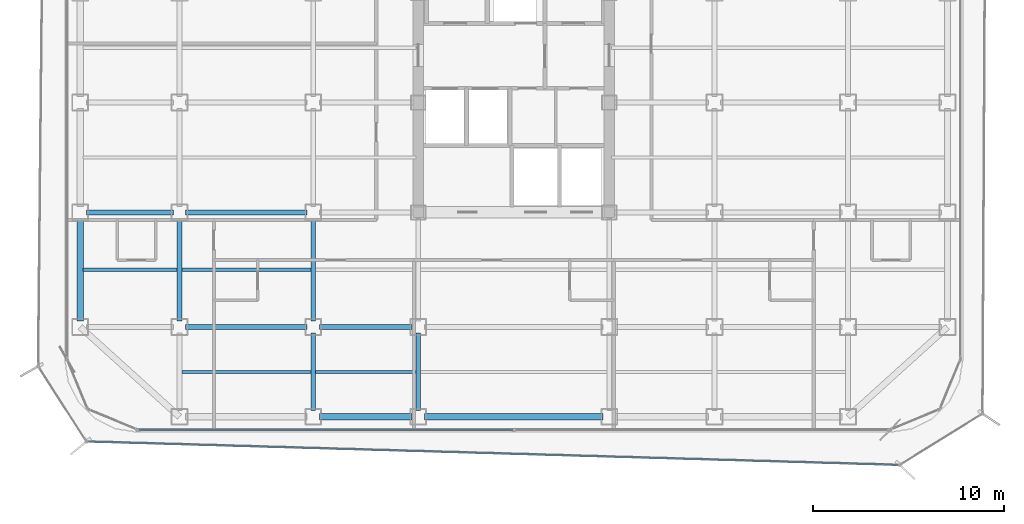
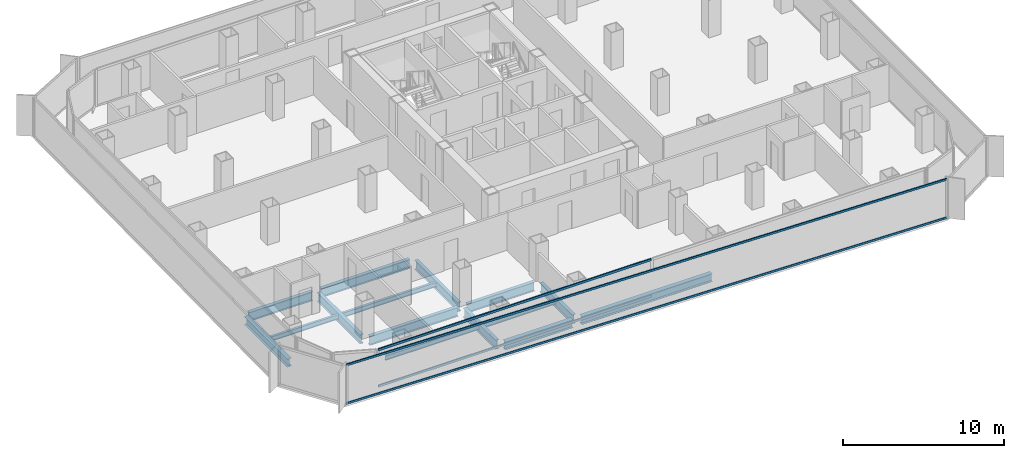
# One storey, part 3 of 21: 15 beams, 4 members, 2 elements without a shape of their own.
"""IFC4 building model written with IfcOpenShell, lengths in metres."""

from ifc_helpers import new_model, si_unit, direction, frame, origin, origin_2d, place, context, subcontext, project, spatial, hollow_rectangle, i_section, extrude, source, transform, mapped, material, layer, layer_set, material_profile, profile_set, type_object, element, aggregate, save


model = new_model("IFC4")

# Units and contexts
model_context = context("Model", 3, precision=1e-05, world=origin(), true_north=direction((0.0, 1.0)))
body_context = subcontext(model_context, "Body", "Model", "MODEL_VIEW")
ifc_project = project(units=[si_unit("LENGTHUNIT", "METRE"), si_unit("AREAUNIT", "SQUARE_METRE"), si_unit("VOLUMEUNIT", "CUBIC_METRE"), si_unit("PLANEANGLEUNIT", "RADIAN"), si_unit("MASSUNIT", "GRAM", prefix="KILO")], contexts=[model_context])

# Site, building, storey
site_placement = place(None, origin())
site = spatial("IfcSite", under=ifc_project, at=site_placement, CompositionType="ELEMENT")
building_placement = place(site_placement, origin())
building = spatial("IfcBuilding", under=site, at=building_placement, Name="Kolveth Station Tower", CompositionType="ELEMENT")
storey_placement = place(building_placement, frame((0.0, 0.0, 148.39990234375)))
storey = spatial("IfcBuildingStorey", under=building, at=storey_placement, Name="L41", CompositionType="ELEMENT", Elevation=148.39990234375)

# Beams
ifc_material_1 = material(Name="Steel S355", Category="steel")
ifc_material_profile_1 = material_profile(ifc_material_1, i_section(OverallWidth=0.323974609375, OverallDepth=0.611083984375, WebThickness=0.0126953125, FlangeThickness=0.01904296875, at=origin_2d()), Name="W610x155")
ifc_profile_set_1 = profile_set([ifc_material_profile_1], Name="Steel S355")
beam_type_1 = type_object("IfcBeamType", Name="Beam_SP2", PredefinedType="SPANDREL", material=ifc_profile_set_1)
shared_shape_1 = source(origin(), body_context, "Body", "SweptSolid", [
    extrude(i_section(OverallWidth=0.323974609375, OverallDepth=0.611083984375, WebThickness=0.0126953125, FlangeThickness=0.01904296875, at=origin_2d()), origin(), (0.0, 0.0, 1.0), 4.85986328125),
])
beam_1_placement = place(storey_placement, frame((13.320068359375, 0.800048828125, -0.555419921875), z_axis=(1.0, 0.0, 0.0), x_axis=(0.0, 1.0, 0.0)))
element("IfcBeam", 1, at=beam_1_placement, inside=storey, type_object=beam_type_1, Name="L41 Perimeter Spandrel BM-L41-PS-2", PredefinedType="SPANDREL", context=body_context, shape_type="MappedRepresentation", body=[
    mapped(shared_shape_1, transform((0.0, 0.0, 0.0), x_axis=(1.0, 0.0, 0.0), y_axis=(0.0, 1.0, 0.0), z_axis=(0.0, 0.0, 1.0), scale=1.0)),
])
shared_shape_2 = source(origin(), body_context, "Body", "SweptSolid", [
    extrude(i_section(OverallWidth=0.323974609375, OverallDepth=0.611083984375, WebThickness=0.0126953125, FlangeThickness=0.01904296875, at=origin_2d()), origin(), (0.0, 0.0, 1.0), 9.35986328125),
])
beam_2_placement = place(storey_placement, frame((18.820068359375, 0.800048828125, -0.555419921875), z_axis=(1.0, 0.0, 0.0), x_axis=(0.0, 1.0, 0.0)))
element("IfcBeam", 2, at=beam_2_placement, inside=storey, type_object=beam_type_1, Name="L41 Perimeter Spandrel BM-L41-PS-3", PredefinedType="SPANDREL", context=body_context, shape_type="MappedRepresentation", body=[
    mapped(shared_shape_2, transform((0.0, 0.0, 0.0), x_axis=(1.0, 0.0, 0.0), y_axis=(0.0, 1.0, 0.0), z_axis=(0.0, 0.0, 1.0), scale=1.0)),
])
shared_shape_3 = source(origin(), body_context, "Body", "SweptSolid", [
    extrude(i_section(OverallWidth=0.323974609375, OverallDepth=0.611083984375, WebThickness=0.0126953125, FlangeThickness=0.01904296875, at=origin_2d()), origin(), (0.0, 0.0, 1.0), 5.35986328125),
])
beam_3_placement = place(storey_placement, frame((0.800048828125, 5.820068359375, -0.555419921875), z_axis=(0.0, 1.0, 0.0), x_axis=(-1.0, 0.0, 0.0)))
element("IfcBeam", 3, at=beam_3_placement, inside=storey, type_object=beam_type_1, Name="L41 Perimeter Spandrel BM-L41-PW-1", PredefinedType="SPANDREL", context=body_context, shape_type="MappedRepresentation", body=[
    mapped(shared_shape_3, transform((0.0, 0.0, 0.0), x_axis=(1.0, 0.0, 0.0), y_axis=(0.0, 1.0, 0.0), z_axis=(0.0, 0.0, 1.0), scale=1.0)),
])
ifc_material_profile_2 = material_profile(ifc_material_1, i_section(OverallWidth=0.25390625, OverallDepth=0.68798828125, WebThickness=0.01318359375, FlangeThickness=0.02099609375, at=origin_2d()), Name="W690x152")
ifc_profile_set_2 = profile_set([ifc_material_profile_2], Name="Steel S355")
beam_type_2 = type_object("IfcBeamType", Name="Beam_B4", PredefinedType="BEAM", material=ifc_profile_set_2)
shared_shape_4 = source(origin(), body_context, "Body", "SweptSolid", [
    extrude(i_section(OverallWidth=0.25390625, OverallDepth=0.68798828125, WebThickness=0.01318359375, FlangeThickness=0.02099609375, at=origin_2d()), origin(), (0.0, 0.0, 1.0), 4.559814453125),
])
beam_4_placement = place(storey_placement, frame((1.1201171875, 11.5, -0.593994140625), z_axis=(1.0, 0.0, 0.0), x_axis=(0.0, 1.0, 0.0)))
element("IfcBeam", 4, at=beam_4_placement, inside=storey, type_object=beam_type_2, Name="L41 Primary Girder BM-L41-GY115-1", PredefinedType="BEAM", context=body_context, shape_type="MappedRepresentation", body=[
    mapped(shared_shape_4, transform((0.0, 0.0, 0.0), x_axis=(1.0, 0.0, 0.0), y_axis=(0.0, 1.0, 0.0), z_axis=(0.0, 0.0, 1.0), scale=1.0)),
])
shared_shape_5 = source(origin(), body_context, "Body", "SweptSolid", [
    extrude(i_section(OverallWidth=0.25390625, OverallDepth=0.68798828125, WebThickness=0.01318359375, FlangeThickness=0.02099609375, at=origin_2d()), origin(), (0.0, 0.0, 1.0), 6.35986328125),
])
for number, where, z_axis, x_axis, name in (
    (5, (6.320068359375, 5.5, -0.593994140625), (1.0, 0.0, 0.0), (0.0, 1.0, 0.0), "L41 Primary Girder BM-L41-GY55-2"),
    (6, (6.320068359375, 11.5, -0.593994140625), (1.0, 0.0, 0.0), (0.0, 1.0, 0.0), "L41 Primary Girder BM-L41-GY115-2"),
):
    element("IfcBeam", number, at=place(storey_placement, frame(where, z_axis=z_axis, x_axis=x_axis)), inside=storey, type_object=beam_type_2, Name=name, PredefinedType="BEAM", context=body_context, shape_type="MappedRepresentation", body=[
        mapped(shared_shape_5, transform((0.0, 0.0, 0.0), x_axis=(1.0, 0.0, 0.0), y_axis=(0.0, 1.0, 0.0), z_axis=(0.0, 0.0, 1.0), scale=1.0)),
    ])
shared_shape_6 = source(origin(), body_context, "Body", "SweptSolid", [
    extrude(i_section(OverallWidth=0.25390625, OverallDepth=0.68798828125, WebThickness=0.01318359375, FlangeThickness=0.02099609375, at=origin_2d()), origin(), (0.0, 0.0, 1.0), 4.85986328125),
])
beam_5_placement = place(storey_placement, frame((13.320068359375, 5.5, -0.593994140625), z_axis=(1.0, 0.0, 0.0), x_axis=(0.0, 1.0, 0.0)))
element("IfcBeam", 7, at=beam_5_placement, inside=storey, type_object=beam_type_2, Name="L41 Primary Girder BM-L41-GY55-3", PredefinedType="BEAM", context=body_context, shape_type="MappedRepresentation", body=[
    mapped(shared_shape_6, transform((0.0, 0.0, 0.0), x_axis=(1.0, 0.0, 0.0), y_axis=(0.0, 1.0, 0.0), z_axis=(0.0, 0.0, 1.0), scale=1.0)),
])
shared_shape_7 = source(origin(), body_context, "Body", "SweptSolid", [
    extrude(i_section(OverallWidth=0.25390625, OverallDepth=0.68798828125, WebThickness=0.01318359375, FlangeThickness=0.02099609375, at=origin_2d()), origin(), (0.0, 0.0, 1.0), 4.059814453125),
])
for number, where, z_axis, x_axis, name in (
    (8, (13.0, 1.1201171875, -0.593994140625), (0.0, 1.0, 0.0), (-1.0, 0.0, 0.0), "L41 Primary Girder BM-L41-GX130-1"),
    (9, (18.5, 1.1201171875, -0.593994140625), (0.0, 1.0, 0.0), (-1.0, 0.0, 0.0), "L41 Primary Girder BM-L41-GX185-1"),
):
    element("IfcBeam", number, at=place(storey_placement, frame(where, z_axis=z_axis, x_axis=x_axis)), inside=storey, type_object=beam_type_2, Name=name, PredefinedType="BEAM", context=body_context, shape_type="MappedRepresentation", body=[
        mapped(shared_shape_7, transform((0.0, 0.0, 0.0), x_axis=(1.0, 0.0, 0.0), y_axis=(0.0, 1.0, 0.0), z_axis=(0.0, 0.0, 1.0), scale=1.0)),
    ])
shared_shape_8 = source(origin(), body_context, "Body", "SweptSolid", [
    extrude(i_section(OverallWidth=0.25390625, OverallDepth=0.68798828125, WebThickness=0.01318359375, FlangeThickness=0.02099609375, at=origin_2d()), origin(), (0.0, 0.0, 1.0), 5.35986328125),
])
for number, where, z_axis, x_axis, name in (
    (10, (6.0, 5.820068359375, -0.593994140625), (0.0, 1.0, 0.0), (-1.0, 0.0, 0.0), "L41 Primary Girder BM-L41-GX60-2"),
    (11, (13.0, 5.820068359375, -0.593994140625), (0.0, 1.0, 0.0), (-1.0, 0.0, 0.0), "L41 Primary Girder BM-L41-GX130-2"),
):
    element("IfcBeam", number, at=place(storey_placement, frame(where, z_axis=z_axis, x_axis=x_axis)), inside=storey, type_object=beam_type_2, Name=name, PredefinedType="BEAM", context=body_context, shape_type="MappedRepresentation", body=[
        mapped(shared_shape_8, transform((0.0, 0.0, 0.0), x_axis=(1.0, 0.0, 0.0), y_axis=(0.0, 1.0, 0.0), z_axis=(0.0, 0.0, 1.0), scale=1.0)),
    ])
ifc_material_profile_3 = material_profile(ifc_material_1, i_section(OverallWidth=0.1708984375, OverallDepth=0.35205078125, WebThickness=0.0068359375, FlangeThickness=0.009765625, at=origin_2d()), Name="W360x44")
ifc_profile_set_3 = profile_set([ifc_material_profile_3], Name="Steel S355")
beam_type_3 = type_object("IfcBeamType", Name="Beam_J2", PredefinedType="JOIST", material=ifc_profile_set_3)
shared_shape_9 = source(origin(), body_context, "Body", "SweptSolid", [
    extrude(i_section(OverallWidth=0.1708984375, OverallDepth=0.35205078125, WebThickness=0.0068359375, FlangeThickness=0.009765625, at=origin_2d()), origin(), (0.0, 0.0, 1.0), 4.9150390625),
])
beam_6_placement = place(storey_placement, frame((0.9599609375, 8.5, -0.42578125), z_axis=(1.0, 0.0, 0.0), x_axis=(0.0, 1.0, 0.0)))
element("IfcBeam", 12, at=beam_6_placement, inside=storey, type_object=beam_type_3, Name="L41 Secondary Joist JST-L41-1-2", PredefinedType="JOIST", context=body_context, shape_type="MappedRepresentation", body=[
    mapped(shared_shape_9, transform((0.0, 0.0, 0.0), x_axis=(1.0, 0.0, 0.0), y_axis=(0.0, 1.0, 0.0), z_axis=(0.0, 0.0, 1.0), scale=1.0)),
])
shared_shape_10 = source(origin(), body_context, "Body", "SweptSolid", [
    extrude(i_section(OverallWidth=0.1708984375, OverallDepth=0.35205078125, WebThickness=0.0068359375, FlangeThickness=0.009765625, at=origin_2d()), origin(), (0.0, 0.0, 1.0), 6.75),
])
for number, where, z_axis, x_axis, name in (
    (13, (6.125, 3.14990234375, -0.42578125), (1.0, 0.0, 0.0), (0.0, 1.0, 0.0), "L41 Secondary Joist JST-L41-2-1"),
    (14, (6.125, 8.5, -0.42578125), (1.0, 0.0, 0.0), (0.0, 1.0, 0.0), "L41 Secondary Joist JST-L41-2-2"),
):
    element("IfcBeam", number, at=place(storey_placement, frame(where, z_axis=z_axis, x_axis=x_axis)), inside=storey, type_object=beam_type_3, Name=name, PredefinedType="JOIST", context=body_context, shape_type="MappedRepresentation", body=[
        mapped(shared_shape_10, transform((0.0, 0.0, 0.0), x_axis=(1.0, 0.0, 0.0), y_axis=(0.0, 1.0, 0.0), z_axis=(0.0, 0.0, 1.0), scale=1.0)),
    ])
shared_shape_11 = source(origin(), body_context, "Body", "SweptSolid", [
    extrude(i_section(OverallWidth=0.1708984375, OverallDepth=0.35205078125, WebThickness=0.0068359375, FlangeThickness=0.009765625, at=origin_2d()), origin(), (0.0, 0.0, 1.0), 5.25),
])
beam_7_placement = place(storey_placement, frame((13.125, 3.14990234375, -0.42578125), z_axis=(1.0, 0.0, 0.0), x_axis=(0.0, 1.0, 0.0)))
element("IfcBeam", 15, at=beam_7_placement, inside=storey, type_object=beam_type_3, Name="L41 Secondary Joist JST-L41-3-1", PredefinedType="JOIST", context=body_context, shape_type="MappedRepresentation", body=[
    mapped(shared_shape_11, transform((0.0, 0.0, 0.0), x_axis=(1.0, 0.0, 0.0), y_axis=(0.0, 1.0, 0.0), z_axis=(0.0, 0.0, 1.0), scale=1.0)),
])

# Curtain wall, members
ifc_material_2 = material(Name="Aluminium 6063-T6 and low-E dark glass", Category="aluminium")
ifc_layer_1 = layer(ifc_material_2, 0.18994140625)
ifc_layer_set_1 = layer_set([ifc_layer_1], Name="Aluminium 6063-T6 and low-E dark glass")
curtain_wall_type_1 = type_object("IfcCurtainWallType", Name="CurtainWall_CW-Z2", PredefinedType="NOTDEFINED", material=ifc_layer_set_1)
curtain_wall_1_placement = place(storey_placement, origin())
curtain_wall_1 = element("IfcCurtainWall", 16, at=curtain_wall_1_placement, inside=storey, type_object=curtain_wall_type_1, Name="L41 Inner Thermal Curtain Wall 12", PredefinedType="NOTDEFINED")
ifc_material_3 = material(Name="Black anodized aluminium 6063-T6", Category="aluminium")
ifc_material_profile_4 = material_profile(ifc_material_3, hollow_rectangle(XDim=0.080078125, YDim=0.169921875, WallThickness=0.0048828125, at=origin_2d()), Name="ALU-80x170x5")
ifc_profile_set_4 = profile_set([ifc_material_profile_4], Name="Black anodized aluminium 6063-T6")
member_type_1 = type_object("IfcMemberType", Name="Transom_TR2", PredefinedType="USERDEFINED", material=ifc_profile_set_4)
shared_shape_12 = source(origin(), body_context, "Body", "SweptSolid", [
    extrude(hollow_rectangle(XDim=0.080078125, YDim=0.169921875, WallThickness=0.0048828125, at=origin_2d()), origin(), (0.0, 0.0, 1.0), 19.580078125),
])
member_1_placement = place(storey_placement, frame((3.8798828125, 0.1201171875, 0.0400390625), z_axis=(1.0, 0.0, 0.0), x_axis=(0.0, 1.0, 0.0)))
member_1 = element("IfcMember", 17, at=member_1_placement, type_object=member_type_1, Name="CW-Z2 transom 1.1", ObjectType="TRANSOM", PredefinedType="USERDEFINED", context=body_context, shape_type="MappedRepresentation", body=[
    mapped(shared_shape_12, transform((0.0, 0.0, 0.0), x_axis=(1.0, 0.0, 0.0), y_axis=(0.0, 1.0, 0.0), z_axis=(0.0, 0.0, 1.0), scale=1.0)),
])
member_2_placement = place(storey_placement, frame((3.8798828125, 0.1201171875, 2.800048828125), z_axis=(1.0, 0.0, 0.0), x_axis=(0.0, 1.0, 0.0)))
member_2 = element("IfcMember", 18, at=member_2_placement, type_object=member_type_1, Name="CW-Z2 transom 1.2", ObjectType="TRANSOM", PredefinedType="USERDEFINED", context=body_context, shape_type="MappedRepresentation", body=[
    mapped(shared_shape_12, transform((0.0, 0.0, 0.0), x_axis=(1.0, 0.0, 0.0), y_axis=(0.0, 1.0, 0.0), z_axis=(0.0, 0.0, 1.0), scale=1.0)),
])
aggregate(curtain_wall_1, [member_1, member_2])

ifc_material_4 = material(Name="Black anodized aluminium 6063-T6 and dark solar glass", Category="aluminium")
ifc_layer_2 = layer(ifc_material_4, 0.159912109375)
ifc_layer_set_2 = layer_set([ifc_layer_2], Name="Black anodized aluminium 6063-T6 and dark solar glass")
curtain_wall_type_2 = type_object("IfcCurtainWallType", Name="OUTER SKIN CW-OS", PredefinedType="NOTDEFINED", material=ifc_layer_set_2)
curtain_wall_2_placement = place(storey_placement, origin())
curtain_wall_2 = element("IfcCurtainWall", 19, at=curtain_wall_2_placement, inside=storey, type_object=curtain_wall_type_2, Name="L41 Outer Ventilated Skin Curtain Wall 8", PredefinedType="NOTDEFINED")
ifc_material_profile_5 = material_profile(ifc_material_3, hollow_rectangle(XDim=0.080078125, YDim=0.14990234375, WallThickness=0.0048828125, at=origin_2d()), Name="ALU-80x150x5")
ifc_profile_set_5 = profile_set([ifc_material_profile_5], Name="Black anodized aluminium 6063-T6")
member_type_2 = type_object("IfcMemberType", Name="Transom_TR-OS", PredefinedType="USERDEFINED", material=ifc_profile_set_5)
shared_shape_13 = source(origin(), body_context, "Body", "SweptSolid", [
    extrude(hollow_rectangle(XDim=0.080078125, YDim=0.14990234375, WallThickness=0.0048828125, at=origin_2d()), origin(), (0.0, 0.0, 1.0), 42.412841796875),
])
member_3_placement = place(storey_placement, frame((1.225341796875, -0.49609375, 0.0400390625), z_axis=(0.999583904418, -0.02884472272, 0.0), x_axis=(0.02884472272, 0.999583904418, 0.0)))
member_3 = element("IfcMember", 20, at=member_3_placement, type_object=member_type_2, Name="CW-OS transom 1.1", ObjectType="TRANSOM", PredefinedType="USERDEFINED", context=body_context, shape_type="MappedRepresentation", body=[
    mapped(shared_shape_13, transform((0.0, 0.0, 0.0), x_axis=(1.0, 0.0, 0.0), y_axis=(0.0, 1.0, 0.0), z_axis=(0.0, 0.0, 1.0), scale=1.0)),
])
member_4_placement = place(storey_placement, frame((1.225341796875, -0.49609375, 2.9501953125), z_axis=(0.999583904418, -0.02884472272, 0.0), x_axis=(0.02884472272, 0.999583904418, 0.0)))
member_4 = element("IfcMember", 21, at=member_4_placement, type_object=member_type_2, Name="CW-OS transom 1.2", ObjectType="TRANSOM", PredefinedType="USERDEFINED", context=body_context, shape_type="MappedRepresentation", body=[
    mapped(shared_shape_13, transform((0.0, 0.0, 0.0), x_axis=(1.0, 0.0, 0.0), y_axis=(0.0, 1.0, 0.0), z_axis=(0.0, 0.0, 1.0), scale=1.0)),
])
aggregate(curtain_wall_2, [member_3, member_4])

save(model, "model.ifc")
